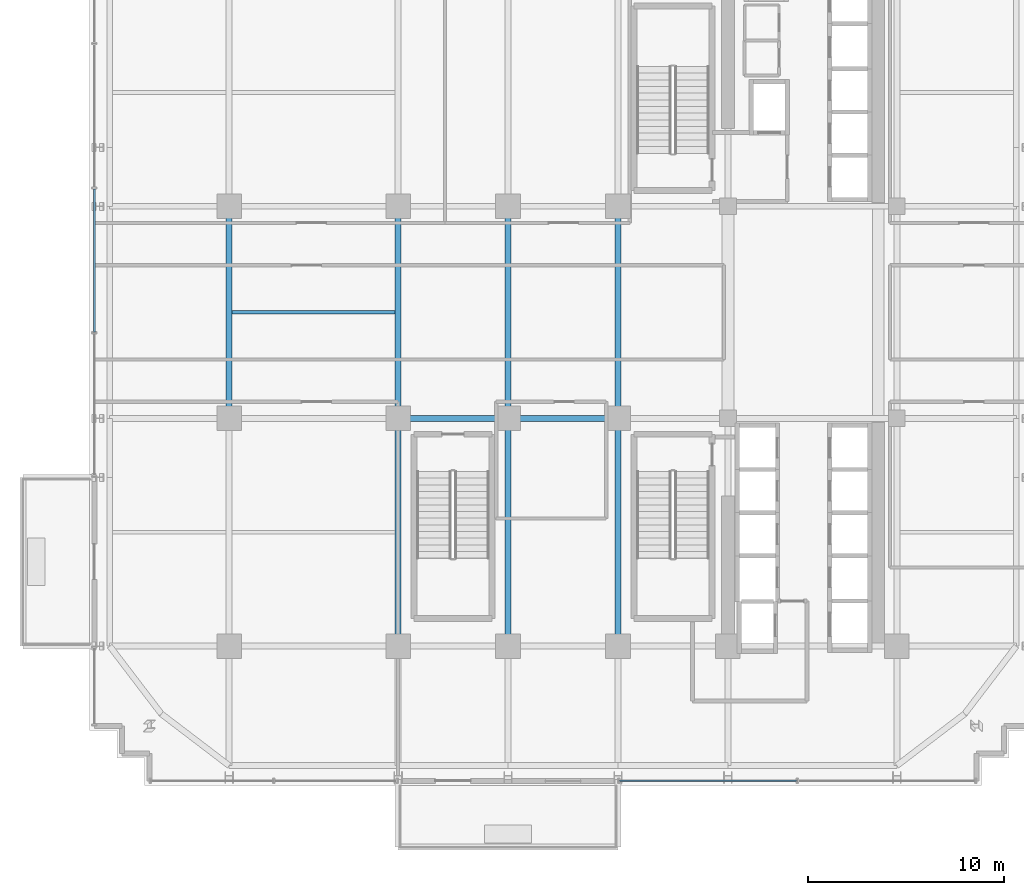
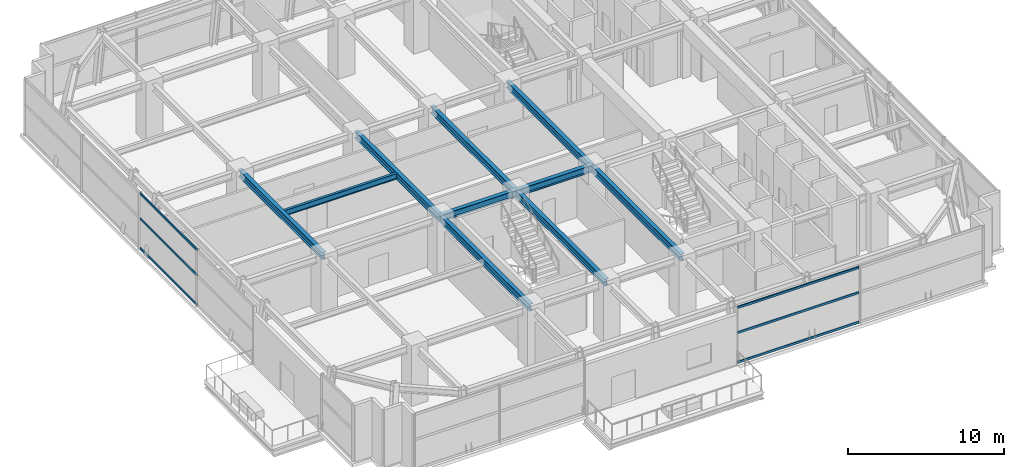
# One storey, part 7 of 26: 10 beams, 6 members, 2 elements without a shape of their own.
"""IFC4 building model written with IfcOpenShell, lengths in metres."""

from ifc_helpers import new_model, si_unit, direction, frame, origin, origin_2d, place, context, subcontext, project, spatial, hollow_rectangle, i_section, extrude, source, transform, mapped, material, material_profile, profile_set, type_object, element, aggregate, save


model = new_model("IFC4")

# Units and contexts
model_context = context("Model", 3, precision=1e-05, world=origin(), true_north=direction((0.0, 1.0)))
body_context = subcontext(model_context, "Body", "Model", "MODEL_VIEW")
ifc_project = project(units=[si_unit("LENGTHUNIT", "METRE"), si_unit("AREAUNIT", "SQUARE_METRE"), si_unit("VOLUMEUNIT", "CUBIC_METRE"), si_unit("PLANEANGLEUNIT", "RADIAN"), si_unit("MASSUNIT", "GRAM", prefix="KILO")], contexts=[model_context])

# Site, building, storey
site_placement = place(None, origin())
site = spatial("IfcSite", under=ifc_project, at=site_placement, CompositionType="ELEMENT")
building_placement = place(site_placement, origin())
building = spatial("IfcBuilding", under=site, at=building_placement, Name="Nahalor Promenade Grand Hotel", CompositionType="ELEMENT")
storey_placement = place(building_placement, frame((0.0, 0.0, 139.39990234375)))
storey = spatial("IfcBuildingStorey", under=building, at=storey_placement, Name="L35", CompositionType="ELEMENT", Elevation=139.39990234375)

# Beams
ifc_material_1 = material(Name="Steel S355JR", Category="steel")
ifc_material_profile_1 = material_profile(ifc_material_1, i_section(OverallWidth=0.3, OverallDepth=0.55, WebThickness=0.015, FlangeThickness=0.029, at=origin_2d()), Name="HEB 550")
ifc_profile_set_1 = profile_set([ifc_material_profile_1], Name="Steel S355JR")
beam_type_1 = type_object("IfcBeamType", Name="Beam-Girder-HEB550", PredefinedType="BEAM", material=ifc_profile_set_1)
shared_shape_1 = source(origin(), body_context, "Body", "SweptSolid", [
    extrude(i_section(OverallWidth=0.3, OverallDepth=0.55, WebThickness=0.015, FlangeThickness=0.029, at=origin_2d()), origin(), (0.0, 0.0, 1.0), 5.599853515625),
])
beam_1_placement = place(storey_placement, frame((-8.39990234375, -5.39990234375, 4.1650390625), z_axis=(1.0, 0.0, 0.0), x_axis=(0.0, 1.0, 0.0)))
element("IfcBeam", 1, at=beam_1_placement, inside=storey, type_object=beam_type_1, Name="BM-L35-GX-1-2", PredefinedType="BEAM", context=body_context, shape_type="MappedRepresentation", body=[
    mapped(shared_shape_1, transform((0.0, 0.0, 0.0), scale=1.0)),
])
shared_shape_2 = source(origin(), body_context, "Body", "SweptSolid", [
    extrude(i_section(OverallWidth=0.3, OverallDepth=0.55, WebThickness=0.015, FlangeThickness=0.029, at=origin_2d()), origin(), (0.0, 0.0, 1.0), 5.60009765625),
])
beam_2_placement = place(storey_placement, frame((-2.800048828125, -5.39990234375, 4.1650390625), z_axis=(1.0, 0.0, 0.0), x_axis=(0.0, 1.0, 0.0)))
element("IfcBeam", 2, at=beam_2_placement, inside=storey, type_object=beam_type_1, Name="BM-L35-GX-1-3", PredefinedType="BEAM", context=body_context, shape_type="MappedRepresentation", body=[
    mapped(shared_shape_2, transform((0.0, 0.0, 0.0), scale=1.0)),
])
shared_shape_3 = source(origin(), body_context, "Body", "SweptSolid", [
    extrude(i_section(OverallWidth=0.3, OverallDepth=0.55, WebThickness=0.015, FlangeThickness=0.029, at=origin_2d()), origin(), (0.0, 0.0, 1.0), 11.60009765625),
])
for number, where, z_axis, x_axis, name in (
    (3, (-8.39990234375, -17.0, 4.1650390625), (0.0, 1.0, 0.0), (-1.0, 0.0, 0.0), "BM-L35-GY-1-1"),
    (4, (-2.800048828125, -17.0, 4.1650390625), (0.0, 1.0, 0.0), (-1.0, 0.0, 0.0), "BM-L35-GY-2-1"),
    (5, (2.800048828125, -17.0, 4.1650390625), (0.0, 1.0, 0.0), (-1.0, 0.0, 0.0), "BM-L35-GY-3-1"),
):
    element("IfcBeam", number, at=place(storey_placement, frame(where, z_axis=z_axis, x_axis=x_axis)), inside=storey, type_object=beam_type_1, Name=name, PredefinedType="BEAM", context=body_context, shape_type="MappedRepresentation", body=[
        mapped(shared_shape_3, transform((0.0, 0.0, 0.0), scale=1.0)),
    ])
shared_shape_4 = source(origin(), body_context, "Body", "SweptSolid", [
    extrude(i_section(OverallWidth=0.3, OverallDepth=0.55, WebThickness=0.015, FlangeThickness=0.029, at=origin_2d()), origin(), (0.0, 0.0, 1.0), 10.7998046875),
])
for number, where, z_axis, x_axis, name in (
    (6, (-17.0, -5.39990234375, 4.1650390625), (0.0, 1.0, 0.0), (-1.0, 0.0, 0.0), "BM-L35-GY-0-2"),
    (7, (-8.39990234375, -5.39990234375, 4.1650390625), (0.0, 1.0, 0.0), (-1.0, 0.0, 0.0), "BM-L35-GY-1-2"),
    (8, (-2.800048828125, -5.39990234375, 4.1650390625), (0.0, 1.0, 0.0), (-1.0, 0.0, 0.0), "BM-L35-GY-2-2"),
    (9, (2.800048828125, -5.39990234375, 4.1650390625), (0.0, 1.0, 0.0), (-1.0, 0.0, 0.0), "BM-L35-GY-3-2"),
):
    element("IfcBeam", number, at=place(storey_placement, frame(where, z_axis=z_axis, x_axis=x_axis)), inside=storey, type_object=beam_type_1, Name=name, PredefinedType="BEAM", context=body_context, shape_type="MappedRepresentation", body=[
        mapped(shared_shape_4, transform((0.0, 0.0, 0.0), scale=1.0)),
    ])
ifc_material_profile_2 = material_profile(ifc_material_1, i_section(OverallWidth=0.19, OverallDepth=0.45, WebThickness=0.0094, FlangeThickness=0.0146, at=origin_2d()), Name="IPE 450")
ifc_profile_set_2 = profile_set([ifc_material_profile_2], Name="Steel S355JR")
beam_type_2 = type_object("IfcBeamType", Name="Beam-Joist-IPE450", PredefinedType="JOIST", material=ifc_profile_set_2)
shared_shape_5 = source(origin(), body_context, "Body", "SweptSolid", [
    extrude(i_section(OverallWidth=0.19, OverallDepth=0.45, WebThickness=0.0094, FlangeThickness=0.0146, at=origin_2d()), origin(), (0.0, 0.0, 1.0), 8.300048828125),
])
beam_3_placement = place(storey_placement, frame((-16.85009765625, 0.0, 4.215087890625), z_axis=(1.0, 0.0, 0.0), x_axis=(0.0, 1.0, 0.0)))
element("IfcBeam", 10, at=beam_3_placement, inside=storey, type_object=beam_type_2, Name="BM-L35-JSC-0", PredefinedType="JOIST", context=body_context, shape_type="MappedRepresentation", body=[
    mapped(shared_shape_5, transform((0.0, 0.0, 0.0), scale=1.0)),
])

# Curtain wall, members
ifc_material_2 = material(Name="Anodised Bronze Aluminium EN AW-6063 T6", Category="aluminium")
curtain_wall_type = type_object("IfcCurtainWallType", Name="CW5 Sky-Lobby & Observation Panoramic Curtain Wall", PredefinedType="USERDEFINED", material=ifc_material_2)
curtain_wall_1_placement = place(storey_placement, origin())
curtain_wall_1 = element("IfcCurtainWall", 11, at=curtain_wall_1_placement, inside=storey, type_object=curtain_wall_type, Name="L35 Curtain Wall CW-L35-S-3", ObjectType="UNITISED_CURTAIN_WALL", PredefinedType="USERDEFINED")
ifc_material_profile_3 = material_profile(ifc_material_2, hollow_rectangle(XDim=0.085, YDim=0.17, WallThickness=0.005, at=origin_2d()), Name="CWT 85x170x5")
ifc_profile_set_3 = profile_set([ifc_material_profile_3], Name="Anodised Bronze Aluminium EN AW-6063 T6")
member_type = type_object("IfcMemberType", Name="CWT5 Panoramic Transom 85x170", PredefinedType="USERDEFINED", material=ifc_profile_set_3)
shared_shape_6 = source(origin(), body_context, "Body", "SweptSolid", [
    extrude(hollow_rectangle(XDim=0.085, YDim=0.17, WallThickness=0.005, at=origin_2d()), origin(), (0.0, 0.0, 1.0), 9.00244140625),
])
member_1_placement = place(storey_placement, frame((2.885009765625, -23.860107421875, 0.085205078125), z_axis=(1.0, 0.0, 0.0), x_axis=(0.0, 1.0, 0.0)))
member_1 = element("IfcMember", 12, at=member_1_placement, type_object=member_type, Name="CW-L35-S-3 Transom 0-0", ObjectType="TRANSOM", PredefinedType="USERDEFINED", context=body_context, shape_type="MappedRepresentation", body=[
    mapped(shared_shape_6, transform((0.0, 0.0, 0.0), scale=1.0)),
])
member_2_placement = place(storey_placement, frame((2.885009765625, -23.860107421875, 2.400146484375), z_axis=(1.0, 0.0, 0.0), x_axis=(0.0, 1.0, 0.0)))
member_2 = element("IfcMember", 13, at=member_2_placement, type_object=member_type, Name="CW-L35-S-3 Transom 0-1", ObjectType="TRANSOM", PredefinedType="USERDEFINED", context=body_context, shape_type="MappedRepresentation", body=[
    mapped(shared_shape_6, transform((0.0, 0.0, 0.0), scale=1.0)),
])
member_3_placement = place(storey_placement, frame((2.885009765625, -23.860107421875, 4.35498046875), z_axis=(1.0, 0.0, 0.0), x_axis=(0.0, 1.0, 0.0)))
member_3 = element("IfcMember", 14, at=member_3_placement, type_object=member_type, Name="CW-L35-S-3 Transom 0-2", ObjectType="TRANSOM", PredefinedType="USERDEFINED", context=body_context, shape_type="MappedRepresentation", body=[
    mapped(shared_shape_6, transform((0.0, 0.0, 0.0), scale=1.0)),
])
aggregate(curtain_wall_1, [member_1, member_2, member_3])

curtain_wall_2_placement = place(storey_placement, origin())
curtain_wall_2 = element("IfcCurtainWall", 15, at=curtain_wall_2_placement, inside=storey, type_object=curtain_wall_type, Name="L35 Curtain Wall CW-L35-W-3", ObjectType="UNITISED_CURTAIN_WALL", PredefinedType="USERDEFINED")
shared_shape_7 = source(origin(), body_context, "Body", "SweptSolid", [
    extrude(hollow_rectangle(XDim=0.085, YDim=0.17, WallThickness=0.005, at=origin_2d()), origin(), (0.0, 0.0, 1.0), 7.280029296875),
])
member_4_placement = place(storey_placement, frame((-23.860107421875, -0.992431640625, 0.085205078125), z_axis=(0.0, 1.0, 0.0), x_axis=(-1.0, 0.0, 0.0)))
member_4 = element("IfcMember", 16, at=member_4_placement, type_object=member_type, Name="CW-L35-W-3 Transom 1-0", ObjectType="TRANSOM", PredefinedType="USERDEFINED", context=body_context, shape_type="MappedRepresentation", body=[
    mapped(shared_shape_7, transform((0.0, 0.0, 0.0), scale=1.0)),
])
member_5_placement = place(storey_placement, frame((-23.860107421875, -0.992431640625, 2.400146484375), z_axis=(0.0, 1.0, 0.0), x_axis=(-1.0, 0.0, 0.0)))
member_5 = element("IfcMember", 17, at=member_5_placement, type_object=member_type, Name="CW-L35-W-3 Transom 1-1", ObjectType="TRANSOM", PredefinedType="USERDEFINED", context=body_context, shape_type="MappedRepresentation", body=[
    mapped(shared_shape_7, transform((0.0, 0.0, 0.0), scale=1.0)),
])
member_6_placement = place(storey_placement, frame((-23.860107421875, -0.992431640625, 4.35498046875), z_axis=(0.0, 1.0, 0.0), x_axis=(-1.0, 0.0, 0.0)))
member_6 = element("IfcMember", 18, at=member_6_placement, type_object=member_type, Name="CW-L35-W-3 Transom 1-2", ObjectType="TRANSOM", PredefinedType="USERDEFINED", context=body_context, shape_type="MappedRepresentation", body=[
    mapped(shared_shape_7, transform((0.0, 0.0, 0.0), scale=1.0)),
])
aggregate(curtain_wall_2, [member_4, member_5, member_6])

save(model, "model.ifc")
